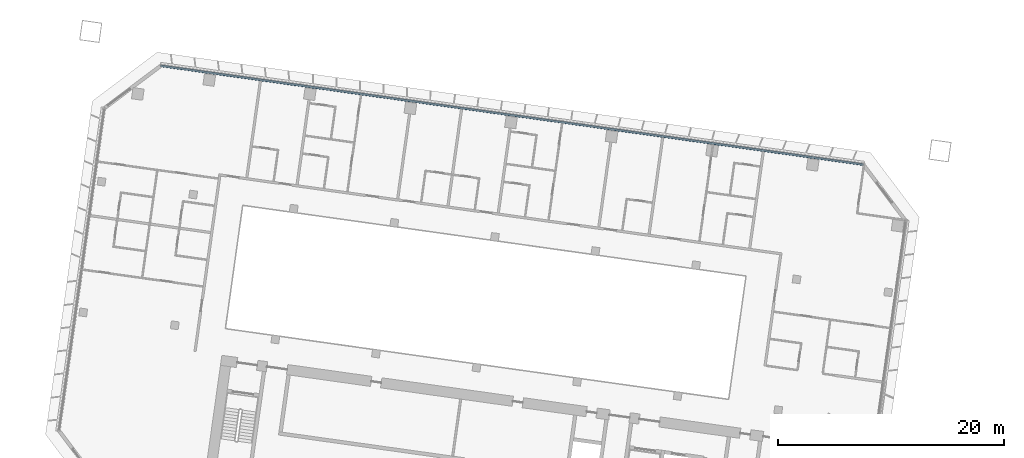
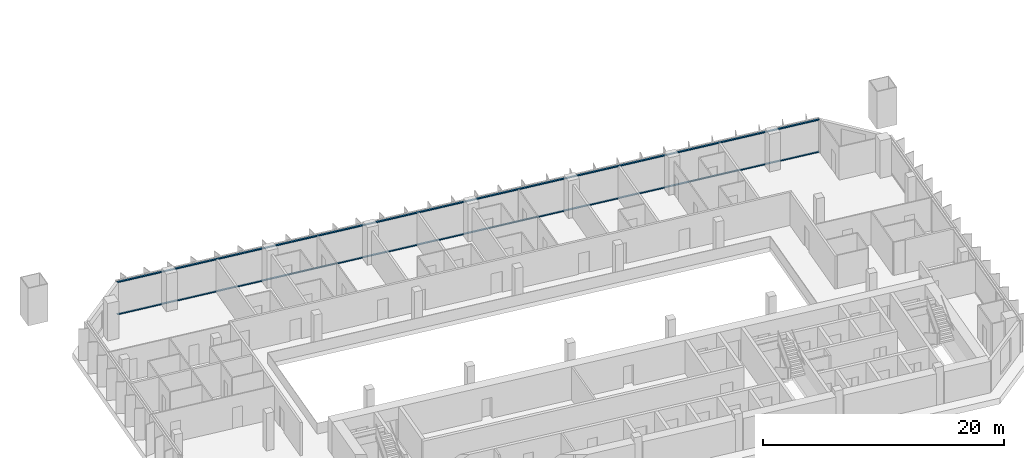
# One storey, part 4 of 25: 2 members, 1 element without a shape of its own.
"""IFC4 building model written with IfcOpenShell, lengths in metres."""

from ifc_helpers import new_model, si_unit, direction, frame, origin, origin_2d, place, context, subcontext, project, spatial, rectangle, extrude, material, material_profile, profile_set, type_object, element, aggregate, save


model = new_model("IFC4")

# Units and contexts
model_context = context("Model", 3, precision=1e-05, world=origin(), true_north=direction((0.0, 1.0)))
body_context = subcontext(model_context, "Body", "Model", "MODEL_VIEW")
ifc_project = project(units=[si_unit("LENGTHUNIT", "METRE"), si_unit("AREAUNIT", "SQUARE_METRE"), si_unit("VOLUMEUNIT", "CUBIC_METRE"), si_unit("PLANEANGLEUNIT", "RADIAN"), si_unit("MASSUNIT", "GRAM", prefix="KILO")], contexts=[model_context])

# Site, building, storey
site_placement = place(None, origin())
site = spatial("IfcSite", under=ifc_project, at=site_placement, CompositionType="ELEMENT")
building_placement = place(site_placement, origin())
building = spatial("IfcBuilding", under=site, at=building_placement, Name="Mirante Cascada Hotel Towers", CompositionType="ELEMENT")
storey_placement = place(building_placement, frame((0.0, 0.0, 62.3)))
storey = spatial("IfcBuildingStorey", under=building, at=storey_placement, Name="L12", CompositionType="ELEMENT", Elevation=62.3)

# Curtain wall, members
ifc_material_1 = material(Name="Aluminium mullion and transom frame with clear laminated glass", Category="aluminium")
curtain_wall_type = type_object("IfcCurtainWallType", Name="Ribbon curtain wall ECW1", PredefinedType="NOTDEFINED", material=ifc_material_1)
curtain_wall_placement = place(storey_placement, origin())
curtain_wall = element("IfcCurtainWall", 1, at=curtain_wall_placement, inside=storey, type_object=curtain_wall_type, Name="Front ribbon wall T1 L12", PredefinedType="NOTDEFINED")
ifc_material_2 = material(Name="Anodised aluminium extrusion", Category="aluminium")
ifc_material_profile = material_profile(ifc_material_2, rectangle(XDim=0.16, YDim=0.1, at=origin_2d()), Name="ECW1 TRANSOM 100x160")
ifc_profile_set = profile_set([ifc_material_profile], Name="Anodised aluminium extrusion")
member_type = type_object("IfcMemberType", Name="ECW1 transom 100x160", PredefinedType="USERDEFINED", material=ifc_profile_set)
member_1_placement = place(storey_placement, frame((-94.1582, 26.0521, 0.05), z_axis=(0.9902681, -0.1391728, 0.0), x_axis=(0.1391728, 0.9902681, 0.0)))
member_1 = element("IfcMember", 2, at=member_1_placement, type_object=member_type, Name="ECW1 sill transom", ObjectType="TRANSOM", PredefinedType="USERDEFINED", context=body_context, shape_type="SweptSolid", body=[
    extrude(rectangle(XDim=0.16, YDim=0.1, at=origin_2d()), origin(), (0.0, 0.0, 1.0), 62.8758),
])
member_2_placement = place(storey_placement, frame((-94.1582, 26.0521, 3.3), z_axis=(0.9902681, -0.1391728, 0.0), x_axis=(0.1391728, 0.9902681, 0.0)))
member_2 = element("IfcMember", 3, at=member_2_placement, type_object=member_type, Name="ECW1 head transom", ObjectType="TRANSOM", PredefinedType="USERDEFINED", context=body_context, shape_type="SweptSolid", body=[
    extrude(rectangle(XDim=0.16, YDim=0.1, at=origin_2d()), origin(), (0.0, 0.0, 1.0), 62.8758),
])
aggregate(curtain_wall, [member_1, member_2])

save(model, "model.ifc")
